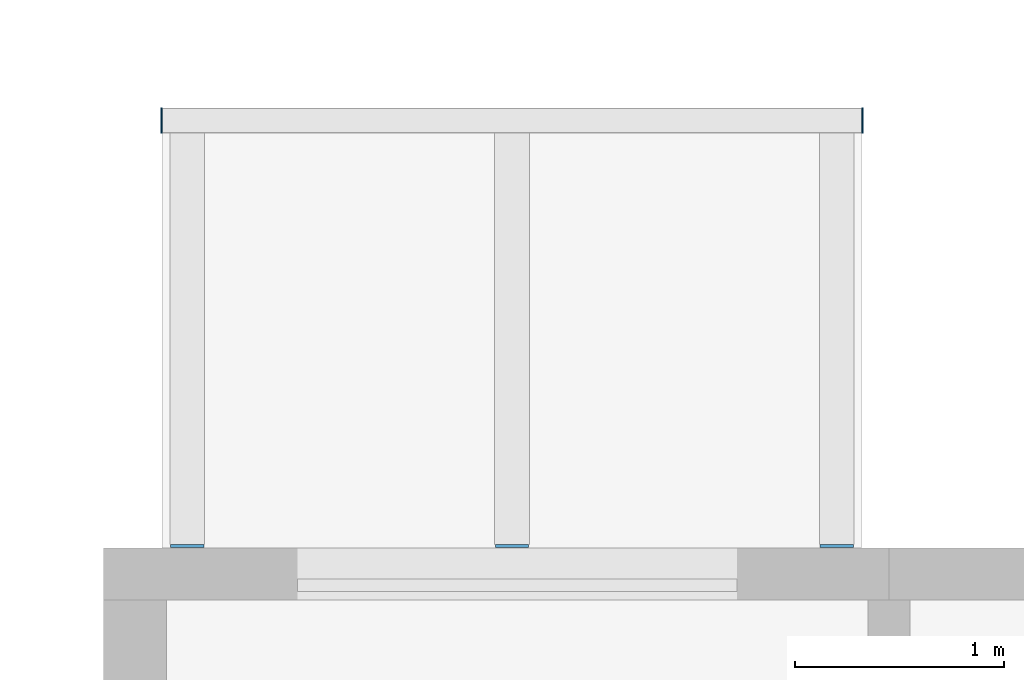
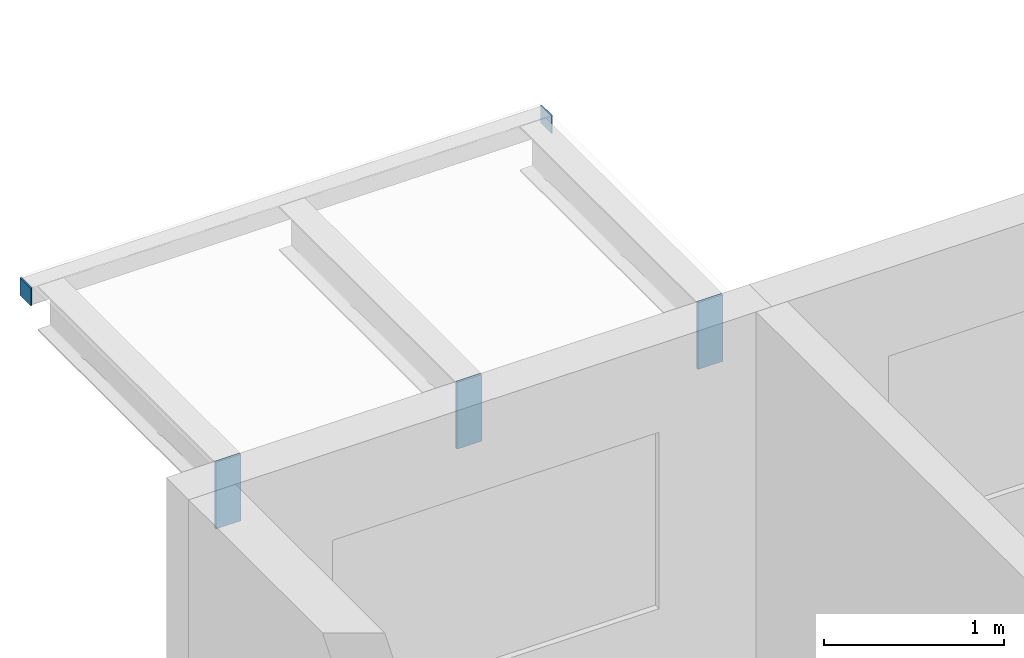
# One storey, part 92 of 122: 5 discrete accessories.
"""IFC4 building model written with IfcOpenShell, lengths in metres."""

import ifcopenshell
import ifcopenshell.guid

model = None  # the IFC model being written
_history = None  # IfcOwnerHistory: only IFC2X3 demands one
_inside = {}  # id of a spatial element -> (the spatial element, [elements in it])
_under = {}  # id of a project, library or spatial element -> (it, [spatial elements below it])
_declared = {}  # id of a project -> (the project, [libraries it declares])
_typed = {}  # id of a type object -> (the type object, [elements of that type])
_made_of = {}  # id of a material, layer set ... -> (it, [elements and type objects made of it])


def new_model(schema):
    """Start an empty IFC model of exactly this schema.

    Asked for "IFC4X3", IfcOpenShell would pick the latest addendum, in which some entities
    have other attributes; the version numbers below select the first issue.
    IFC2X3 requires an IfcOwnerHistory on every rooted entity: one is made here for all.
    """
    global model, _history
    if schema == "IFC4X3":
        model = ifcopenshell.file(schema_version=(4, 3, 0, 0))
    else:
        model = ifcopenshell.file(schema=schema)
    _inside.clear()
    _under.clear()
    _declared.clear()
    _typed.clear()
    _made_of.clear()
    _history = None
    if model.schema == "IFC2X3":
        org = make("IfcOrganization", Name="unknown")
        user = make(
            "IfcPersonAndOrganization",
            ThePerson=make("IfcPerson", FamilyName="unknown"),
            TheOrganization=org,
        )
        app = make(
            "IfcApplication",
            ApplicationDeveloper=org,
            Version="unknown",
            ApplicationFullName="unknown",
            ApplicationIdentifier="unknown",
        )
        _history = make(
            "IfcOwnerHistory",
            OwningUser=user,
            OwningApplication=app,
            ChangeAction="ADDED",
            CreationDate=0,
        )
    return model


def make(cls, **values):
    """One entity of the class cls with the attributes given. An attribute that is None is left unset."""
    return model.create_entity(
        cls, **{name: value for name, value in values.items() if value is not None}
    )


def rooted(cls, **values):
    """An entity with a GlobalId (a new one), such as an element, a storey or a relation."""
    return make(cls, GlobalId=ifcopenshell.guid.new(), OwnerHistory=_history, **values)


def si_unit(unit_type, name, prefix=None):
    """IfcSIUnit, for example si_unit("LENGTHUNIT", "METRE", prefix="MILLI")."""
    return make("IfcSIUnit", UnitType=unit_type, Prefix=prefix, Name=name)


def assignment(units):
    """IfcUnitAssignment: the units of a project."""
    return None if units is None else make("IfcUnitAssignment", Units=units)


def point(xyz):
    """IfcCartesianPoint."""
    return None if xyz is None else make("IfcCartesianPoint", Coordinates=xyz)


def direction(xyz):
    """IfcDirection."""
    return None if xyz is None else make("IfcDirection", DirectionRatios=xyz)


def frame(location, z_axis=None, x_axis=None):
    """IfcAxis2Placement3D, a coordinate frame: its origin and axes. An axis left out is left unset."""
    return make(
        "IfcAxis2Placement3D",
        Location=point(location),
        Axis=direction(z_axis),
        RefDirection=direction(x_axis),
    )


def frame_2d(location, x_axis=None):
    """IfcAxis2Placement2D, a coordinate frame in the plane: its origin and x axis."""
    return make(
        "IfcAxis2Placement2D", Location=point(location), RefDirection=direction(x_axis)
    )


def origin():
    """The frame at (0, 0, 0) with its axes left unset."""
    return frame((0.0, 0.0, 0.0))


def origin_2d():
    """The frame at (0, 0) in the plane with its x axis left unset."""
    return frame_2d((0.0, 0.0))


def place(relative_to, where):
    """IfcLocalPlacement: puts the frame where relative to a parent placement (None: the world)."""
    return make(
        "IfcLocalPlacement", PlacementRelTo=relative_to, RelativePlacement=where
    )


def context(
    kind, dimensions, precision=None, world=None, true_north=None, identifier=None
):
    """IfcGeometricRepresentationContext, for example the 3D "Model" context."""
    return make(
        "IfcGeometricRepresentationContext",
        ContextIdentifier=identifier,
        ContextType=kind,
        CoordinateSpaceDimension=dimensions,
        Precision=precision,
        WorldCoordinateSystem=world,
        TrueNorth=true_north,
    )


def subcontext(parent, identifier, kind, view, scale=None):
    """IfcGeometricRepresentationSubContext, for example "Body" below "Model"."""
    return make(
        "IfcGeometricRepresentationSubContext",
        ContextIdentifier=identifier,
        ContextType=kind,
        ParentContext=parent,
        TargetScale=scale,
        TargetView=view,
    )


def project(units=None, contexts=None):
    """IfcProject with its units and contexts."""
    return rooted(
        "IfcProject",
        Name="project",
        RepresentationContexts=contexts,
        UnitsInContext=assignment(units),
    )


def spatial(cls, under=None, at=None, **own):
    """A site, building, storey or space (cls), placed at a placement, below another one or the project."""
    s = rooted(cls, ObjectPlacement=at, **own)
    if under is not None:
        _under.setdefault(under.id(), (under, []))[1].append(s)
    return s


def profile(cls, at=None, kind="AREA", **sizes):
    """A parametric profile (cls). Its sizes go by their IFC names, for example OverallWidth=200.0."""
    return make(cls, ProfileType=kind, Position=at, **sizes)


def rectangle(**sizes):
    """IfcRectangleProfileDef."""
    return profile("IfcRectangleProfileDef", **sizes)


def extrude(swept, where, along, depth):
    """IfcExtrudedAreaSolid: the profile swept, set in the frame where, extruded along a direction by depth."""
    return make(
        "IfcExtrudedAreaSolid",
        SweptArea=swept,
        Position=where,
        ExtrudedDirection=direction(along),
        Depth=depth,
    )


def shape(context_of_items, identifier, shape_type, items):
    """IfcShapeRepresentation: the items that make up one representation, for example the "Body"."""
    return make(
        "IfcShapeRepresentation",
        ContextOfItems=context_of_items,
        RepresentationIdentifier=identifier,
        RepresentationType=shape_type,
        Items=items,
    )


def material(Name=None, Category=None):
    """IfcMaterial."""
    return make("IfcMaterial", Name=Name, Category=Category)


def layer(
    of_material, thickness, ventilated=None, Name=None, Category=None, Priority=None
):
    """IfcMaterialLayer: one layer of a wall or slab, of a material (None: an air gap)."""
    return make(
        "IfcMaterialLayer",
        Material=of_material,
        LayerThickness=thickness,
        IsVentilated=ventilated,
        Name=Name,
        Category=Category,
        Priority=Priority,
    )


def layer_set(layers, Name=None):
    """IfcMaterialLayerSet."""
    return make("IfcMaterialLayerSet", MaterialLayers=layers, LayerSetName=Name)


def made_of(thing, what):
    """Note that an element or type object is made of a material, layer set ...; save() writes the relation."""
    if what is not None:
        _made_of.setdefault(what.id(), (what, []))[1].append(thing)
    return thing


def type_object(cls, material=None, **own):
    """A type object (cls), such as IfcWallType, which elements share."""
    return made_of(rooted(cls, **own), material)


def element(
    cls,
    number,
    at=None,
    inside=None,
    cuts=None,
    type_object=None,
    material=None,
    context=None,
    identifier="Body",
    shape_type=None,
    held_by="IfcProductDefinitionShape",
    body=None,
    shapes=None,
    **own,
):
    """One element of the class cls, such as IfcWall. Its Tag is "e" and its number.

    at: its placement. inside: the storey or other place that contains it. cuts: it is an
    opening in that element (IfcRelVoidsElement). A single representation is given by context,
    identifier, shape_type and body (its items); several are given by shapes. held_by: the class
    of the entity that holds the representations. save() writes the other relations.
    """
    e = rooted(cls, Tag="e%d" % number, ObjectPlacement=at, **own)
    if body is not None:
        shapes = [shape(context, identifier, shape_type, body)]
    if shapes is not None:
        e.Representation = make(held_by, Representations=shapes)
    if inside is not None:
        _inside.setdefault(inside.id(), (inside, []))[1].append(e)
    if cuts is not None:
        rooted(
            "IfcRelVoidsElement", RelatingBuildingElement=cuts, RelatedOpeningElement=e
        )
    if type_object is not None:
        _typed.setdefault(type_object.id(), (type_object, []))[1].append(e)
    return made_of(e, material)


def aggregate(whole, parts):
    """IfcRelAggregates: a whole, such as a stair, and the parts it consists of."""
    return rooted("IfcRelAggregates", RelatingObject=whole, RelatedObjects=parts)


def save(model, path):
    """Write the relations noted so far, then the file.

    IfcRelAggregates (storeys below a building ...), IfcRelContainedInSpatialStructure (elements
    in a storey), IfcRelDefinesByType, IfcRelAssociatesMaterial and IfcRelDeclares: one each for
    every whole, place, type object, material and project.
    """
    for whole, parts in _under.values():
        aggregate(whole, parts)
    for where, things in _inside.values():
        rooted(
            "IfcRelContainedInSpatialStructure",
            RelatedElements=things,
            RelatingStructure=where,
        )
    for kind, things in _typed.values():
        rooted("IfcRelDefinesByType", RelatedObjects=things, RelatingType=kind)
    for what, things in _made_of.values():
        rooted("IfcRelAssociatesMaterial", RelatedObjects=things, RelatingMaterial=what)
    for by, libraries in _declared.values():
        rooted("IfcRelDeclares", RelatingContext=by, RelatedDefinitions=libraries)
    model.write(path)


model = new_model("IFC4")

# Units and contexts
model_context = context("Model", 3, precision=1e-05, world=origin(), true_north=direction((0.0, 1.0)))
body_context = subcontext(model_context, "Body", "Model", "MODEL_VIEW")
ifc_project = project(units=[si_unit("LENGTHUNIT", "METRE"), si_unit("AREAUNIT", "SQUARE_METRE"), si_unit("VOLUMEUNIT", "CUBIC_METRE"), si_unit("PLANEANGLEUNIT", "RADIAN"), si_unit("MASSUNIT", "GRAM", prefix="KILO")], contexts=[model_context])

# Site, building, storey
site_placement = place(None, origin())
site = spatial("IfcSite", under=ifc_project, at=site_placement, CompositionType="ELEMENT")
building_placement = place(site_placement, origin())
building = spatial("IfcBuilding", under=site, at=building_placement, Name="Ridgestep Commons", CompositionType="ELEMENT")
storey_placement = place(building_placement, frame((0.0, 0.0, 3.0)))
storey = spatial("IfcBuildingStorey", under=building, at=storey_placement, Name="L01", CompositionType="ELEMENT", Elevation=3.0)

# Discrete accessories
ifc_material_1 = material(Name="Weathering steel S355J2W", Category="steel")
ifc_layer_1 = layer(ifc_material_1, 0.014892578125)
ifc_layer_set_1 = layer_set([ifc_layer_1], Name="Tray bracket plate 15")
discrete_accessory_type_1 = type_object("IfcDiscreteAccessoryType", Name="Tray bracket plate 15", PredefinedType="BRACKET", material=ifc_layer_set_1)
for number, where, z_axis, x_axis, name in (
    (1, (12.25, 77.257568359375, 2.53662109375), (0.0, 0.0, 1.0), (1.0, 0.0, 0.0), "Tray bracket B1T1-02.1"),
    (2, (13.800048828125, 77.257568359375, 2.53662109375), (0.0, 0.0, 1.0), (1.0, 0.0, 0.0), "Tray bracket B1T1-02.2"),
    (3, (15.35009765625, 77.257568359375, 2.53662109375), (0.0, 0.0, 1.0), (1.0, 0.0, 0.0), "Tray bracket B1T1-02.3"),
):
    element("IfcDiscreteAccessory", number, at=place(storey_placement, frame(where, z_axis=z_axis, x_axis=x_axis)), inside=storey, type_object=discrete_accessory_type_1, Name=name, PredefinedType="BRACKET", context=body_context, shape_type="SweptSolid", body=[
        extrude(rectangle(XDim=0.159912109375, YDim=0.014892578125, at=origin_2d()), origin(), (0.0, 0.0, 1.0), 0.453369140625),
    ])
ifc_material_2 = material(Name="Weathering steel S355J2W", Category="steel")
ifc_layer_2 = layer(ifc_material_2, 0.008056640625)
ifc_layer_set_2 = layer_set([ifc_layer_2], Name="Tray edge member end plate 120 x 120 x 8")
discrete_accessory_type_2 = type_object("IfcDiscreteAccessoryType", Name="Tray edge member end plate 120 x 120 x 8", PredefinedType="BRACKET", material=ifc_layer_set_2)
for number, where, z_axis, x_axis, name in (
    (4, (12.1259765625, 79.2900390625, 2.869873046875), (0.0, 0.0, 1.0), (1.0, 0.0, 0.0), "Tray edge member end plate B1T1-02 west"),
    (5, (15.47412109375, 79.2900390625, 2.869873046875), (0.0, 0.0, 1.0), (1.0, 0.0, 0.0), "Tray edge member end plate B1T1-02 east"),
):
    element("IfcDiscreteAccessory", number, at=place(storey_placement, frame(where, z_axis=z_axis, x_axis=x_axis)), inside=storey, type_object=discrete_accessory_type_2, Name=name, PredefinedType="BRACKET", context=body_context, shape_type="SweptSolid", body=[
        extrude(rectangle(XDim=0.008056640625, YDim=0.1201171875, at=origin_2d()), origin(), (0.0, 0.0, 1.0), 0.1201171875),
    ])

save(model, "model.ifc")
